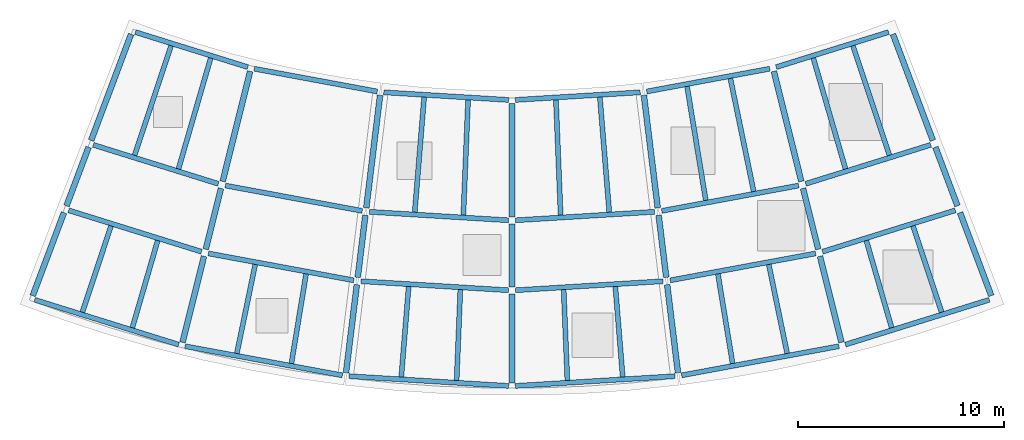
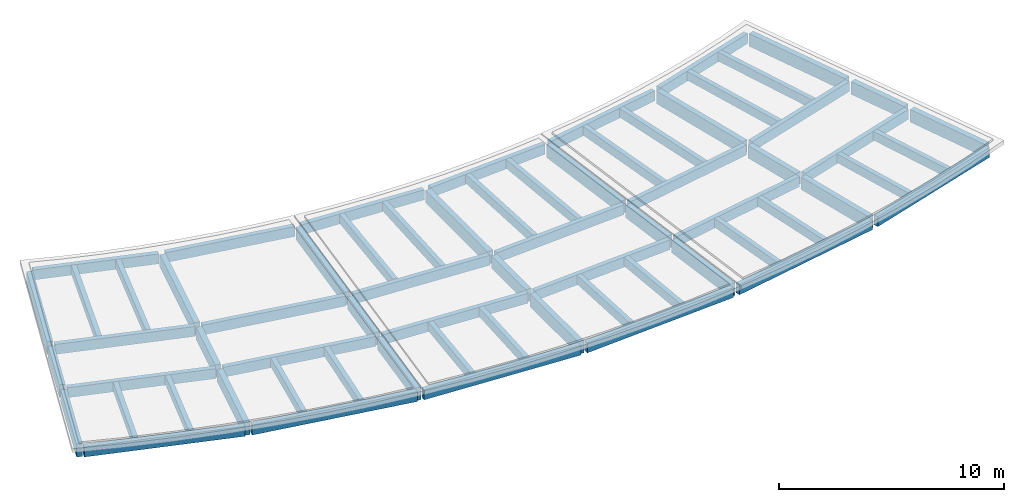
# One storey, part 1 of 3: 67 beams.
"""IFC4 building model written with IfcOpenShell, lengths in metres."""

from ifc_helpers import new_model, si_unit, direction, frame, origin, origin_2d, place, context, subcontext, project, spatial, rectangle, extrude, material, material_profile, profile_set, type_object, element, save


model = new_model("IFC4")

# Units and contexts
model_context = context("Model", 3, precision=1e-05, world=origin(), true_north=direction((0.0, 1.0)))
body_context = subcontext(model_context, "Body", "Model", "MODEL_VIEW")
ifc_project = project(units=[si_unit("LENGTHUNIT", "METRE"), si_unit("AREAUNIT", "SQUARE_METRE"), si_unit("VOLUMEUNIT", "CUBIC_METRE"), si_unit("PLANEANGLEUNIT", "RADIAN"), si_unit("MASSUNIT", "GRAM", prefix="KILO")], contexts=[model_context])

# Site, building, storey
site_placement = place(None, origin())
site = spatial("IfcSite", under=ifc_project, at=site_placement, CompositionType="ELEMENT")
building_placement = place(site_placement, origin())
building = spatial("IfcBuilding", under=site, at=building_placement, Name="Caldaven Crescent School", CompositionType="ELEMENT")
storey_placement = place(building_placement, frame((0.0, 0.0, 23.1201171875)))
storey = spatial("IfcBuildingStorey", under=building, at=storey_placement, Name="Roof", CompositionType="ELEMENT", Elevation=23.1201171875)

# Beams
ifc_material = material(Name="Glulam MLE24h (GL28h)", Category="wood")
ifc_material_profile_1 = material_profile(ifc_material, rectangle(XDim=0.239990234375, YDim=0.5400390625, at=origin_2d()), Name="MLE 240x540")
ifc_profile_set_1 = profile_set([ifc_material_profile_1], Name="Glulam MLE24h (GL28h)")
beam_type_1 = type_object("IfcBeamType", Name="BM-GL54", PredefinedType="BEAM", material=ifc_profile_set_1)
beam_1_placement = place(storey_placement, frame((67.6494140625, 41.377685546875, -0.480224609375), z_axis=(0.954747711713, -0.297416890878, 0.0), x_axis=(0.297416890878, 0.954747711713, 0.0)))
element("IfcBeam", 1, at=beam_1_placement, inside=storey, type_object=beam_type_1, Name="BMT-V5-Roof-1789", PredefinedType="BEAM", context=body_context, shape_type="SweptSolid", body=[
    extrude(rectangle(XDim=0.239990234375, YDim=0.5400390625, at=origin_2d()), origin(), (0.0, 0.0, 1.0), 6.367431640625),
])
beam_2_placement = place(storey_placement, frame((66.452880859375, 38.195068359375, -0.480224609375), z_axis=(0.954750161187, -0.297409027625, 0.0), x_axis=(0.297409027625, 0.954750161187, 0.0)))
element("IfcBeam", 2, at=beam_2_placement, inside=storey, type_object=beam_type_1, Name="BMT-V5-Roof-1790", PredefinedType="BEAM", context=body_context, shape_type="SweptSolid", body=[
    extrude(rectangle(XDim=0.239990234375, YDim=0.5400390625, at=origin_2d()), origin(), (0.0, 0.0, 1.0), 6.75927734375),
])
beam_3_placement = place(storey_placement, frame((74.068115234375, 39.39990234375, -0.480224609375), z_axis=(0.983254724559, -0.182236512894, 0.0), x_axis=(0.182236512894, 0.983254724559, 0.0)))
element("IfcBeam", 3, at=beam_3_placement, inside=storey, type_object=beam_type_1, Name="BMT-V5-Roof-1797", PredefinedType="BEAM", context=body_context, shape_type="SweptSolid", body=[
    extrude(rectangle(XDim=0.239990234375, YDim=0.5400390625, at=origin_2d()), origin(), (0.0, 0.0, 1.0), 6.76806640625),
])
beam_4_placement = place(storey_placement, frame((73.24560546875, 36.100830078125, -0.480224609375), z_axis=(0.983254046245, -0.182240172692, 0.0), x_axis=(0.182240172692, 0.983254046245, 0.0)))
element("IfcBeam", 4, at=beam_4_placement, inside=storey, type_object=beam_type_1, Name="BMT-V5-Roof-1798", PredefinedType="BEAM", context=body_context, shape_type="SweptSolid", body=[
    extrude(rectangle(XDim=0.239990234375, YDim=0.5400390625, at=origin_2d()), origin(), (0.0, 0.0, 1.0), 7.183349609375),
])
beam_5_placement = place(storey_placement, frame((81.069580078125, 38.123779296875, -0.480224609375), z_axis=(0.998135879701, -0.061030858212, 0.0), x_axis=(0.061030858212, 0.998135879701, 0.0)))
element("IfcBeam", 5, at=beam_5_placement, inside=storey, type_object=beam_type_1, Name="BMT-V5-Roof-1803", PredefinedType="BEAM", context=body_context, shape_type="SweptSolid", body=[
    extrude(rectangle(XDim=0.239990234375, YDim=0.5400390625, at=origin_2d()), origin(), (0.0, 0.0, 1.0), 6.7685546875),
])
beam_6_placement = place(storey_placement, frame((80.6552734375, 34.749267578125, -0.480224609375), z_axis=(0.998135388571, -0.061038889914, 0.0), x_axis=(0.061038889914, 0.998135388571, 0.0)))
element("IfcBeam", 6, at=beam_6_placement, inside=storey, type_object=beam_type_1, Name="BMT-V5-Roof-1804", PredefinedType="BEAM", context=body_context, shape_type="SweptSolid", body=[
    extrude(rectangle(XDim=0.239990234375, YDim=0.5400390625, at=origin_2d()), origin(), (0.0, 0.0, 1.0), 7.18359375),
])
beam_7_placement = place(storey_placement, frame((88.174560546875, 37.710693359375, -0.480224609375), z_axis=(0.998135879701, 0.061030858212, 0.0), x_axis=(-0.061030858212, 0.998135879701, 0.0)))
element("IfcBeam", 7, at=beam_7_placement, inside=storey, type_object=beam_type_1, Name="BMT-V5-Roof-1811", PredefinedType="BEAM", context=body_context, shape_type="SweptSolid", body=[
    extrude(rectangle(XDim=0.239990234375, YDim=0.5400390625, at=origin_2d()), origin(), (0.0, 0.0, 1.0), 6.7685546875),
])
beam_8_placement = place(storey_placement, frame((88.174560546875, 34.310791015625, -0.480224609375), z_axis=(0.998135388571, 0.061038889914, 0.0), x_axis=(-0.061038889914, 0.998135388571, 0.0)))
element("IfcBeam", 8, at=beam_8_placement, inside=storey, type_object=beam_type_1, Name="BMT-V5-Roof-1812", PredefinedType="BEAM", context=body_context, shape_type="SweptSolid", body=[
    extrude(rectangle(XDim=0.239990234375, YDim=0.5400390625, at=origin_2d()), origin(), (0.0, 0.0, 1.0), 7.18359375),
])
beam_9_placement = place(storey_placement, frame((95.277099609375, 38.16650390625, -0.480224609375), z_axis=(0.983254724559, 0.182236512894, 0.0), x_axis=(-0.182236512894, 0.983254724559, 0.0)))
element("IfcBeam", 9, at=beam_9_placement, inside=storey, type_object=beam_type_1, Name="BMT-V5-Roof-1819", PredefinedType="BEAM", context=body_context, shape_type="SweptSolid", body=[
    extrude(rectangle(XDim=0.239990234375, YDim=0.5400390625, at=origin_2d()), origin(), (0.0, 0.0, 1.0), 6.76806640625),
])
beam_10_placement = place(storey_placement, frame((95.69140625, 34.791748046875, -0.480224609375), z_axis=(0.983254046245, 0.182240172692, 0.0), x_axis=(-0.182240172692, 0.983254046245, 0.0)))
element("IfcBeam", 10, at=beam_10_placement, inside=storey, type_object=beam_type_1, Name="BMT-V5-Roof-1820", PredefinedType="BEAM", context=body_context, shape_type="SweptSolid", body=[
    extrude(rectangle(XDim=0.239990234375, YDim=0.5400390625, at=origin_2d()), origin(), (0.0, 0.0, 1.0), 7.183349609375),
])
beam_11_placement = place(storey_placement, frame((102.271240234375, 39.48388671875, -0.480224609375), z_axis=(0.954747711713, 0.297416890878, 0.0), x_axis=(-0.297416890878, 0.954747711713, 0.0)))
element("IfcBeam", 11, at=beam_11_placement, inside=storey, type_object=beam_type_1, Name="BMT-V5-Roof-1827", PredefinedType="BEAM", context=body_context, shape_type="SweptSolid", body=[
    extrude(rectangle(XDim=0.239990234375, YDim=0.5400390625, at=origin_2d()), origin(), (0.0, 0.0, 1.0), 6.367431640625),
])
beam_12_placement = place(storey_placement, frame((103.09375, 36.184814453125, -0.480224609375), z_axis=(0.954750161187, 0.297409027625, 0.0), x_axis=(-0.297409027625, 0.954750161187, 0.0)))
element("IfcBeam", 12, at=beam_12_placement, inside=storey, type_object=beam_type_1, Name="BMT-V5-Roof-1828", PredefinedType="BEAM", context=body_context, shape_type="SweptSolid", body=[
    extrude(rectangle(XDim=0.239990234375, YDim=0.5400390625, at=origin_2d()), origin(), (0.0, 0.0, 1.0), 6.75927734375),
])
ifc_material_profile_2 = material_profile(ifc_material, rectangle(XDim=0.280029296875, YDim=0.68994140625, at=origin_2d()), Name="MLE 280x690")
ifc_profile_set_2 = profile_set([ifc_material_profile_2], Name="Glulam MLE24h (GL28h)")
beam_type_2 = type_object("IfcBeamType", Name="BM-GL69", PredefinedType="BEAM", material=ifc_profile_set_2)
beam_13_placement = place(storey_placement, frame((69.48486328125, 46.755615234375, -0.55517578125), z_axis=(-0.351938342826, -0.936023184995, 0.0), x_axis=(0.936023184995, -0.351938342826, 0.0)))
element("IfcBeam", 13, at=beam_13_placement, inside=storey, type_object=beam_type_2, Name="BMR-V5-Roof-1767", PredefinedType="BEAM", context=body_context, shape_type="SweptSolid", body=[
    extrude(rectangle(XDim=0.280029296875, YDim=0.68994140625, at=origin_2d()), origin(), (0.0, 0.0, 1.0), 5.514892578125),
])
beam_14_placement = place(storey_placement, frame((67.4208984375, 41.265869140625, -0.55517578125), z_axis=(-0.351974225459, -0.936009692585, 0.0), x_axis=(0.936009692585, -0.351974225459, 0.0)))
element("IfcBeam", 14, at=beam_14_placement, inside=storey, type_object=beam_type_2, Name="BMR-V5-Roof-1768", PredefinedType="BEAM", context=body_context, shape_type="SweptSolid", body=[
    extrude(rectangle(XDim=0.280029296875, YDim=0.68994140625, at=origin_2d()), origin(), (0.0, 0.0, 1.0), 3.0498046875),
])
beam_15_placement = place(storey_placement, frame((66.22412109375, 38.08349609375, -0.55517578125), z_axis=(-0.351916961601, -0.936031223912, 0.0), x_axis=(0.936031223912, -0.351916961601, 0.0)))
element("IfcBeam", 15, at=beam_15_placement, inside=storey, type_object=beam_type_2, Name="BMR-V5-Roof-1769", PredefinedType="BEAM", context=body_context, shape_type="SweptSolid", body=[
    extrude(rectangle(XDim=0.280029296875, YDim=0.68994140625, at=origin_2d()), origin(), (0.0, 0.0, 1.0), 4.315185546875),
])
beam_16_placement = place(storey_placement, frame((75.2724609375, 44.95263671875, -0.55517578125), z_axis=(-0.241931432995, -0.970293348286, 0.0), x_axis=(0.970293348286, -0.241931432995, 0.0)))
element("IfcBeam", 16, at=beam_16_placement, inside=storey, type_object=beam_type_2, Name="BMR-V5-Roof-1770", PredefinedType="BEAM", context=body_context, shape_type="SweptSolid", body=[
    extrude(rectangle(XDim=0.280029296875, YDim=0.68994140625, at=origin_2d()), origin(), (0.0, 0.0, 1.0), 5.514892578125),
])
beam_17_placement = place(storey_placement, frame((73.853515625, 39.261962890625, -0.55517578125), z_axis=(-0.241895214255, -0.970302378293, 0.0), x_axis=(0.970302378293, -0.241895214255, 0.0)))
element("IfcBeam", 17, at=beam_17_placement, inside=storey, type_object=beam_type_2, Name="BMR-V5-Roof-1771", PredefinedType="BEAM", context=body_context, shape_type="SweptSolid", body=[
    extrude(rectangle(XDim=0.280029296875, YDim=0.68994140625, at=origin_2d()), origin(), (0.0, 0.0, 1.0), 3.050048828125),
])
beam_18_placement = place(storey_placement, frame((73.031005859375, 35.962890625, -0.55517578125), z_axis=(-0.241883226039, -0.970305366862, 0.0), x_axis=(0.970305366862, -0.241883226039, 0.0)))
element("IfcBeam", 18, at=beam_18_placement, inside=storey, type_object=beam_type_2, Name="BMR-V5-Roof-1772", PredefinedType="BEAM", context=body_context, shape_type="SweptSolid", body=[
    extrude(rectangle(XDim=0.280029296875, YDim=0.68994140625, at=origin_2d()), origin(), (0.0, 0.0, 1.0), 4.31494140625),
])
beam_19_placement = place(storey_placement, frame((81.58837890625, 43.7822265625, -0.55517578125), z_axis=(-0.121871408826, -0.992545898037, 0.0), x_axis=(0.992545898037, -0.121871408826, 0.0)))
element("IfcBeam", 19, at=beam_19_placement, inside=storey, type_object=beam_type_2, Name="BMR-V5-Roof-1773", PredefinedType="BEAM", context=body_context, shape_type="SweptSolid", body=[
    extrude(rectangle(XDim=0.280029296875, YDim=0.68994140625, at=origin_2d()), origin(), (0.0, 0.0, 1.0), 5.514892578125),
])
beam_20_placement = place(storey_placement, frame((80.873779296875, 37.9609375, -0.55517578125), z_axis=(-0.121906519032, -0.992541586342, 0.0), x_axis=(0.992541586342, -0.121906519032, 0.0)))
element("IfcBeam", 20, at=beam_20_placement, inside=storey, type_object=beam_type_2, Name="BMR-V5-Roof-1774", PredefinedType="BEAM", context=body_context, shape_type="SweptSolid", body=[
    extrude(rectangle(XDim=0.280029296875, YDim=0.68994140625, at=origin_2d()), origin(), (0.0, 0.0, 1.0), 3.050048828125),
])
beam_21_placement = place(storey_placement, frame((80.459228515625, 34.586181640625, -0.55517578125), z_axis=(-0.121875655073, -0.992545376646, 0.0), x_axis=(0.992545376646, -0.121875655073, 0.0)))
element("IfcBeam", 21, at=beam_21_placement, inside=storey, type_object=beam_type_2, Name="BMR-V5-Roof-1775", PredefinedType="BEAM", context=body_context, shape_type="SweptSolid", body=[
    extrude(rectangle(XDim=0.280029296875, YDim=0.68994140625, at=origin_2d()), origin(), (0.0, 0.0, 1.0), 4.31494140625),
])
beam_22_placement = place(storey_placement, frame((88.0, 43.389892578125, -0.55517578125), z_axis=(0.0, -1.0, 0.0), x_axis=(1.0, 0.0, 0.0)))
element("IfcBeam", 22, at=beam_22_placement, inside=storey, type_object=beam_type_2, Name="BMR-V5-Roof-1776", PredefinedType="BEAM", context=body_context, shape_type="SweptSolid", body=[
    extrude(rectangle(XDim=0.280029296875, YDim=0.68994140625, at=origin_2d()), origin(), (0.0, 0.0, 1.0), 5.514892578125),
])
beam_23_placement = place(storey_placement, frame((88.0, 37.52490234375, -0.55517578125), z_axis=(0.0, -1.0, 0.0), x_axis=(1.0, 0.0, 0.0)))
element("IfcBeam", 23, at=beam_23_placement, inside=storey, type_object=beam_type_2, Name="BMR-V5-Roof-1777", PredefinedType="BEAM", context=body_context, shape_type="SweptSolid", body=[
    extrude(rectangle(XDim=0.280029296875, YDim=0.68994140625, at=origin_2d()), origin(), (0.0, 0.0, 1.0), 3.0498046875),
])
beam_24_placement = place(storey_placement, frame((88.0, 34.125, -0.55517578125), z_axis=(0.0, -1.0, 0.0), x_axis=(1.0, 0.0, 0.0)))
element("IfcBeam", 24, at=beam_24_placement, inside=storey, type_object=beam_type_2, Name="BMR-V5-Roof-1778", PredefinedType="BEAM", context=body_context, shape_type="SweptSolid", body=[
    extrude(rectangle(XDim=0.280029296875, YDim=0.68994140625, at=origin_2d()), origin(), (0.0, 0.0, 1.0), 4.31494140625),
])
beam_25_placement = place(storey_placement, frame((94.41162109375, 43.7822265625, -0.55517578125), z_axis=(0.121871408826, -0.992545898037, 0.0), x_axis=(0.992545898037, 0.121871408826, 0.0)))
element("IfcBeam", 25, at=beam_25_placement, inside=storey, type_object=beam_type_2, Name="BMR-V5-Roof-1779", PredefinedType="BEAM", context=body_context, shape_type="SweptSolid", body=[
    extrude(rectangle(XDim=0.280029296875, YDim=0.68994140625, at=origin_2d()), origin(), (0.0, 0.0, 1.0), 5.514892578125),
])
beam_26_placement = place(storey_placement, frame((95.126220703125, 37.9609375, -0.55517578125), z_axis=(0.121906519032, -0.992541586342, 0.0), x_axis=(0.992541586342, 0.121906519032, 0.0)))
element("IfcBeam", 26, at=beam_26_placement, inside=storey, type_object=beam_type_2, Name="BMR-V5-Roof-1780", PredefinedType="BEAM", context=body_context, shape_type="SweptSolid", body=[
    extrude(rectangle(XDim=0.280029296875, YDim=0.68994140625, at=origin_2d()), origin(), (0.0, 0.0, 1.0), 3.050048828125),
])
beam_27_placement = place(storey_placement, frame((95.540771484375, 34.586181640625, -0.55517578125), z_axis=(0.121875655073, -0.992545376646, 0.0), x_axis=(0.992545376646, 0.121875655073, 0.0)))
element("IfcBeam", 27, at=beam_27_placement, inside=storey, type_object=beam_type_2, Name="BMR-V5-Roof-1781", PredefinedType="BEAM", context=body_context, shape_type="SweptSolid", body=[
    extrude(rectangle(XDim=0.280029296875, YDim=0.68994140625, at=origin_2d()), origin(), (0.0, 0.0, 1.0), 4.31494140625),
])
beam_28_placement = place(storey_placement, frame((100.7275390625, 44.95263671875, -0.55517578125), z_axis=(0.241931432995, -0.970293348286, 0.0), x_axis=(0.970293348286, 0.241931432995, 0.0)))
element("IfcBeam", 28, at=beam_28_placement, inside=storey, type_object=beam_type_2, Name="BMR-V5-Roof-1782", PredefinedType="BEAM", context=body_context, shape_type="SweptSolid", body=[
    extrude(rectangle(XDim=0.280029296875, YDim=0.68994140625, at=origin_2d()), origin(), (0.0, 0.0, 1.0), 5.514892578125),
])
beam_29_placement = place(storey_placement, frame((102.146484375, 39.261962890625, -0.55517578125), z_axis=(0.241895214255, -0.970302378293, 0.0), x_axis=(0.970302378293, 0.241895214255, 0.0)))
element("IfcBeam", 29, at=beam_29_placement, inside=storey, type_object=beam_type_2, Name="BMR-V5-Roof-1783", PredefinedType="BEAM", context=body_context, shape_type="SweptSolid", body=[
    extrude(rectangle(XDim=0.280029296875, YDim=0.68994140625, at=origin_2d()), origin(), (0.0, 0.0, 1.0), 3.050048828125),
])
beam_30_placement = place(storey_placement, frame((102.968994140625, 35.962890625, -0.55517578125), z_axis=(0.241883226039, -0.970305366862, 0.0), x_axis=(0.970305366862, 0.241883226039, 0.0)))
element("IfcBeam", 30, at=beam_30_placement, inside=storey, type_object=beam_type_2, Name="BMR-V5-Roof-1784", PredefinedType="BEAM", context=body_context, shape_type="SweptSolid", body=[
    extrude(rectangle(XDim=0.280029296875, YDim=0.68994140625, at=origin_2d()), origin(), (0.0, 0.0, 1.0), 4.31494140625),
])
beam_31_placement = place(storey_placement, frame((106.51513671875, 46.755615234375, -0.55517578125), z_axis=(0.351938342826, -0.936023184995, 0.0), x_axis=(0.936023184995, 0.351938342826, 0.0)))
element("IfcBeam", 31, at=beam_31_placement, inside=storey, type_object=beam_type_2, Name="BMR-V5-Roof-1785", PredefinedType="BEAM", context=body_context, shape_type="SweptSolid", body=[
    extrude(rectangle(XDim=0.280029296875, YDim=0.68994140625, at=origin_2d()), origin(), (0.0, 0.0, 1.0), 5.514892578125),
])
beam_32_placement = place(storey_placement, frame((108.5791015625, 41.265869140625, -0.55517578125), z_axis=(0.351974225459, -0.936009692585, 0.0), x_axis=(0.936009692585, 0.351974225459, 0.0)))
element("IfcBeam", 32, at=beam_32_placement, inside=storey, type_object=beam_type_2, Name="BMR-V5-Roof-1786", PredefinedType="BEAM", context=body_context, shape_type="SweptSolid", body=[
    extrude(rectangle(XDim=0.280029296875, YDim=0.68994140625, at=origin_2d()), origin(), (0.0, 0.0, 1.0), 3.0498046875),
])
beam_33_placement = place(storey_placement, frame((109.77587890625, 38.08349609375, -0.55517578125), z_axis=(0.351916961601, -0.936031223912, 0.0), x_axis=(0.936031223912, 0.351916961601, 0.0)))
element("IfcBeam", 33, at=beam_33_placement, inside=storey, type_object=beam_type_2, Name="BMR-V5-Roof-1787", PredefinedType="BEAM", context=body_context, shape_type="SweptSolid", body=[
    extrude(rectangle(XDim=0.280029296875, YDim=0.68994140625, at=origin_2d()), origin(), (0.0, 0.0, 1.0), 4.315185546875),
])
ifc_material_profile_3 = material_profile(ifc_material, rectangle(XDim=0.239990234375, YDim=0.47998046875, at=origin_2d()), Name="MLE 240x480")
ifc_profile_set_3 = profile_set([ifc_material_profile_3], Name="Glulam MLE24h (GL28h)")
beam_type_3 = type_object("IfcBeamType", Name="JS-GL48", PredefinedType="JOIST", material=ifc_profile_set_3)
beam_34_placement = place(storey_placement, frame((71.42822265625, 46.197265625, -0.4501953125), z_axis=(-0.315731740735, -0.948848495753, 0.0), x_axis=(0.948848495753, -0.315731740735, 0.0)))
element("IfcBeam", 34, at=beam_34_placement, inside=storey, type_object=beam_type_3, Name="JSR-V5-Roof-1792", PredefinedType="JOIST", context=body_context, shape_type="SweptSolid", body=[
    extrude(rectangle(XDim=0.239990234375, YDim=0.47998046875, at=origin_2d()), origin(), (0.0, 0.0, 1.0), 5.611572265625),
])
beam_35_placement = place(storey_placement, frame((68.511962890625, 37.433349609375, -0.4501953125), z_axis=(-0.315713240256, -0.948854651634, 0.0), x_axis=(0.948854651634, -0.315713240256, 0.0)))
element("IfcBeam", 35, at=beam_35_placement, inside=storey, type_object=beam_type_3, Name="JSR-V5-Roof-1793", PredefinedType="JOIST", context=body_context, shape_type="SweptSolid", body=[
    extrude(rectangle(XDim=0.239990234375, YDim=0.47998046875, at=origin_2d()), origin(), (0.0, 0.0, 1.0), 4.413330078125),
])
beam_36_placement = place(storey_placement, frame((73.355712890625, 45.5966796875, -0.4501953125), z_axis=(-0.278982349026, -0.960296229781, 0.0), x_axis=(0.960296229781, -0.278982349026, 0.0)))
element("IfcBeam", 36, at=beam_36_placement, inside=storey, type_object=beam_type_3, Name="JSR-V5-Roof-1794", PredefinedType="JOIST", context=body_context, shape_type="SweptSolid", body=[
    extrude(rectangle(XDim=0.239990234375, YDim=0.47998046875, at=origin_2d()), origin(), (0.0, 0.0, 1.0), 5.611328125),
])
beam_37_placement = place(storey_placement, frame((70.77880859375, 36.72705078125, -0.4501953125), z_axis=(-0.278992882483, -0.96029316957, 0.0), x_axis=(0.96029316957, -0.278992882483, 0.0)))
element("IfcBeam", 37, at=beam_37_placement, inside=storey, type_object=beam_type_3, Name="JSR-V5-Roof-1795", PredefinedType="JOIST", context=body_context, shape_type="SweptSolid", body=[
    extrude(rectangle(XDim=0.239990234375, YDim=0.47998046875, at=origin_2d()), origin(), (0.0, 0.0, 1.0), 4.4130859375),
])
for number, where, z_axis, x_axis, name in (
    (38, (75.519287109375, 35.5625, -0.4501953125), (-0.202241478585, -0.979335685217, 0.0), (0.979335685217, -0.202241478585, 0.0), "JSR-V5-Roof-1800"),
    (39, (77.992919921875, 35.10400390625, -0.4501953125), (-0.162182244648, -0.986760821841, 0.0), (0.986760821841, -0.162182244648, 0.0), "JSR-V5-Roof-1801"),
):
    element("IfcBeam", number, at=place(storey_placement, frame(where, z_axis=z_axis, x_axis=x_axis)), inside=storey, type_object=beam_type_3, Name=name, PredefinedType="JOIST", context=body_context, shape_type="SweptSolid", body=[
        extrude(rectangle(XDim=0.239990234375, YDim=0.47998046875, at=origin_2d()), origin(), (0.0, 0.0, 1.0), 4.412109375),
    ])
beam_38_placement = place(storey_placement, frame((83.729248046875, 43.696044921875, -0.4501953125), z_axis=(-0.081374360202, -0.996683607521, 0.0), x_axis=(0.996683607521, -0.081374360202, 0.0)))
element("IfcBeam", 40, at=beam_38_placement, inside=storey, type_object=beam_type_3, Name="JSR-V5-Roof-1806", PredefinedType="JOIST", context=body_context, shape_type="SweptSolid", body=[
    extrude(rectangle(XDim=0.239990234375, YDim=0.47998046875, at=origin_2d()), origin(), (0.0, 0.0, 1.0), 5.6103515625),
])
beam_39_placement = place(storey_placement, frame((82.977783203125, 34.491943359375, -0.4501953125), z_axis=(-0.081392296247, -0.996682142968, 0.0), x_axis=(0.996682142968, -0.081392296247, 0.0)))
element("IfcBeam", 41, at=beam_39_placement, inside=storey, type_object=beam_type_3, Name="JSR-V5-Roof-1807", PredefinedType="JOIST", context=body_context, shape_type="SweptSolid", body=[
    extrude(rectangle(XDim=0.239990234375, YDim=0.47998046875, at=origin_2d()), origin(), (0.0, 0.0, 1.0), 4.412353515625),
])
beam_40_placement = place(storey_placement, frame((85.86474609375, 43.5654296875, -0.4501953125), z_axis=(-0.040730946432, -0.999170150676, 0.0), x_axis=(0.999170150676, -0.040730946432, 0.0)))
element("IfcBeam", 42, at=beam_40_placement, inside=storey, type_object=beam_type_3, Name="JSR-V5-Roof-1808", PredefinedType="JOIST", context=body_context, shape_type="SweptSolid", body=[
    extrude(rectangle(XDim=0.239990234375, YDim=0.47998046875, at=origin_2d()), origin(), (0.0, 0.0, 1.0), 5.6103515625),
])
beam_41_placement = place(storey_placement, frame((85.48876953125, 34.33837890625, -0.4501953125), z_axis=(-0.040668508698, -0.999172693982, 0.0), x_axis=(0.999172693982, -0.040668508698, 0.0)))
element("IfcBeam", 43, at=beam_41_placement, inside=storey, type_object=beam_type_3, Name="JSR-V5-Roof-1809", PredefinedType="JOIST", context=body_context, shape_type="SweptSolid", body=[
    extrude(rectangle(XDim=0.239990234375, YDim=0.47998046875, at=origin_2d()), origin(), (0.0, 0.0, 1.0), 4.412353515625),
])
beam_42_placement = place(storey_placement, frame((90.13525390625, 43.5654296875, -0.4501953125), z_axis=(0.040730946432, -0.999170150676, 0.0), x_axis=(0.999170150676, 0.040730946432, 0.0)))
element("IfcBeam", 44, at=beam_42_placement, inside=storey, type_object=beam_type_3, Name="JSR-V5-Roof-1814", PredefinedType="JOIST", context=body_context, shape_type="SweptSolid", body=[
    extrude(rectangle(XDim=0.239990234375, YDim=0.47998046875, at=origin_2d()), origin(), (0.0, 0.0, 1.0), 5.6103515625),
])
beam_43_placement = place(storey_placement, frame((90.51123046875, 34.33837890625, -0.4501953125), z_axis=(0.040668508698, -0.999172693982, 0.0), x_axis=(0.999172693982, 0.040668508698, 0.0)))
element("IfcBeam", 45, at=beam_43_placement, inside=storey, type_object=beam_type_3, Name="JSR-V5-Roof-1815", PredefinedType="JOIST", context=body_context, shape_type="SweptSolid", body=[
    extrude(rectangle(XDim=0.239990234375, YDim=0.47998046875, at=origin_2d()), origin(), (0.0, 0.0, 1.0), 4.412353515625),
])
beam_44_placement = place(storey_placement, frame((92.270751953125, 43.696044921875, -0.4501953125), z_axis=(0.081374360202, -0.996683607521, 0.0), x_axis=(0.996683607521, 0.081374360202, 0.0)))
element("IfcBeam", 46, at=beam_44_placement, inside=storey, type_object=beam_type_3, Name="JSR-V5-Roof-1816", PredefinedType="JOIST", context=body_context, shape_type="SweptSolid", body=[
    extrude(rectangle(XDim=0.239990234375, YDim=0.47998046875, at=origin_2d()), origin(), (0.0, 0.0, 1.0), 5.6103515625),
])
beam_45_placement = place(storey_placement, frame((93.022216796875, 34.491943359375, -0.4501953125), z_axis=(0.081392296247, -0.996682142968, 0.0), x_axis=(0.996682142968, 0.081392296247, 0.0)))
element("IfcBeam", 47, at=beam_45_placement, inside=storey, type_object=beam_type_3, Name="JSR-V5-Roof-1817", PredefinedType="JOIST", context=body_context, shape_type="SweptSolid", body=[
    extrude(rectangle(XDim=0.239990234375, YDim=0.47998046875, at=origin_2d()), origin(), (0.0, 0.0, 1.0), 4.412353515625),
])
beam_46_placement = place(storey_placement, frame((96.509521484375, 44.216552734375, -0.4501953125), z_axis=(0.162182803006, -0.98676073007, 0.0), x_axis=(0.98676073007, 0.162182803006, 0.0)))
element("IfcBeam", 48, at=beam_46_placement, inside=storey, type_object=beam_type_3, Name="JSR-V5-Roof-1822", PredefinedType="JOIST", context=body_context, shape_type="SweptSolid", body=[
    extrude(rectangle(XDim=0.239990234375, YDim=0.47998046875, at=origin_2d()), origin(), (0.0, 0.0, 1.0), 5.6103515625),
])
beam_47_placement = place(storey_placement, frame((98.007080078125, 35.10400390625, -0.4501953125), z_axis=(0.162182244648, -0.986760821841, 0.0), x_axis=(0.986760821841, 0.162182244648, 0.0)))
element("IfcBeam", 49, at=beam_47_placement, inside=storey, type_object=beam_type_3, Name="JSR-V5-Roof-1823", PredefinedType="JOIST", context=body_context, shape_type="SweptSolid", body=[
    extrude(rectangle(XDim=0.239990234375, YDim=0.47998046875, at=origin_2d()), origin(), (0.0, 0.0, 1.0), 4.412109375),
])
beam_48_placement = place(storey_placement, frame((98.613037109375, 44.6064453125, -0.4501953125), z_axis=(0.202263118958, -0.979331216039, 0.0), x_axis=(0.979331216039, 0.202263118958, 0.0)))
element("IfcBeam", 50, at=beam_48_placement, inside=storey, type_object=beam_type_3, Name="JSR-V5-Roof-1824", PredefinedType="JOIST", context=body_context, shape_type="SweptSolid", body=[
    extrude(rectangle(XDim=0.239990234375, YDim=0.47998046875, at=origin_2d()), origin(), (0.0, 0.0, 1.0), 5.6103515625),
])
beam_49_placement = place(storey_placement, frame((100.480712890625, 35.5625, -0.4501953125), z_axis=(0.202241478585, -0.979335685217, 0.0), x_axis=(0.979335685217, 0.202241478585, 0.0)))
element("IfcBeam", 51, at=beam_49_placement, inside=storey, type_object=beam_type_3, Name="JSR-V5-Roof-1825", PredefinedType="JOIST", context=body_context, shape_type="SweptSolid", body=[
    extrude(rectangle(XDim=0.239990234375, YDim=0.47998046875, at=origin_2d()), origin(), (0.0, 0.0, 1.0), 4.412109375),
])
beam_50_placement = place(storey_placement, frame((102.644287109375, 45.5966796875, -0.4501953125), z_axis=(0.278982349026, -0.960296229781, 0.0), x_axis=(0.960296229781, 0.278982349026, 0.0)))
element("IfcBeam", 52, at=beam_50_placement, inside=storey, type_object=beam_type_3, Name="JSR-V5-Roof-1830", PredefinedType="JOIST", context=body_context, shape_type="SweptSolid", body=[
    extrude(rectangle(XDim=0.239990234375, YDim=0.47998046875, at=origin_2d()), origin(), (0.0, 0.0, 1.0), 5.611328125),
])
beam_51_placement = place(storey_placement, frame((105.22119140625, 36.72705078125, -0.4501953125), z_axis=(0.278992882483, -0.96029316957, 0.0), x_axis=(0.96029316957, 0.278992882483, 0.0)))
element("IfcBeam", 53, at=beam_51_placement, inside=storey, type_object=beam_type_3, Name="JSR-V5-Roof-1831", PredefinedType="JOIST", context=body_context, shape_type="SweptSolid", body=[
    extrude(rectangle(XDim=0.239990234375, YDim=0.47998046875, at=origin_2d()), origin(), (0.0, 0.0, 1.0), 4.4130859375),
])
beam_52_placement = place(storey_placement, frame((104.57177734375, 46.197265625, -0.4501953125), z_axis=(0.315731740735, -0.948848495753, 0.0), x_axis=(0.948848495753, 0.315731740735, 0.0)))
element("IfcBeam", 54, at=beam_52_placement, inside=storey, type_object=beam_type_3, Name="JSR-V5-Roof-1832", PredefinedType="JOIST", context=body_context, shape_type="SweptSolid", body=[
    extrude(rectangle(XDim=0.239990234375, YDim=0.47998046875, at=origin_2d()), origin(), (0.0, 0.0, 1.0), 5.611572265625),
])
beam_53_placement = place(storey_placement, frame((107.488037109375, 37.433349609375, -0.4501953125), z_axis=(0.315713240256, -0.948854651634, 0.0), x_axis=(0.948854651634, 0.315713240256, 0.0)))
element("IfcBeam", 55, at=beam_53_placement, inside=storey, type_object=beam_type_3, Name="JSR-V5-Roof-1833", PredefinedType="JOIST", context=body_context, shape_type="SweptSolid", body=[
    extrude(rectangle(XDim=0.239990234375, YDim=0.47998046875, at=origin_2d()), origin(), (0.0, 0.0, 1.0), 4.413330078125),
])
ifc_material_profile_4 = material_profile(ifc_material, rectangle(XDim=0.239990234375, YDim=0.5400390625, at=origin_2d()), Name="MLE 240x540")
ifc_profile_set_4 = profile_set([ifc_material_profile_4], Name="Glulam MLE24h (GL28h)")
beam_type_4 = type_object("IfcBeamType", Name="SP-GL54", PredefinedType="SPANDREL", material=ifc_profile_set_4)
beam_54_placement = place(storey_placement, frame((69.69384765625, 46.85791015625, -0.480224609375), z_axis=(0.954742972951, -0.297432102506, 0.0), x_axis=(0.297432102506, 0.954742972951, 0.0)))
element("IfcBeam", 56, at=beam_54_placement, inside=storey, type_object=beam_type_4, Name="BMT-V5-Roof-1788", PredefinedType="SPANDREL", context=body_context, shape_type="SweptSolid", body=[
    extrude(rectangle(XDim=0.239990234375, YDim=0.5400390625, at=origin_2d()), origin(), (0.0, 0.0, 1.0), 5.7236328125),
])
beam_55_placement = place(storey_placement, frame((64.802001953125, 33.84716796875, -0.480224609375), z_axis=(0.954744100243, -0.297428483927, 0.0), x_axis=(0.297428483927, 0.954744100243, 0.0)))
element("IfcBeam", 57, at=beam_55_placement, inside=storey, type_object=beam_type_4, Name="BMT-V5-Roof-1791", PredefinedType="SPANDREL", context=body_context, shape_type="SweptSolid", body=[
    extrude(rectangle(XDim=0.239990234375, YDim=0.5400390625, at=origin_2d()), origin(), (0.0, 0.0, 1.0), 7.3251953125),
])
beam_56_placement = place(storey_placement, frame((75.468505859375, 45.078857421875, -0.480224609375), z_axis=(0.983257514796, -0.182221457564, 0.0), x_axis=(0.182221457564, 0.983257514796, 0.0)))
element("IfcBeam", 58, at=beam_56_placement, inside=storey, type_object=beam_type_4, Name="BMT-V5-Roof-1796", PredefinedType="SPANDREL", context=body_context, shape_type="SweptSolid", body=[
    extrude(rectangle(XDim=0.239990234375, YDim=0.5400390625, at=origin_2d()), origin(), (0.0, 0.0, 1.0), 6.083984375),
])
beam_57_placement = place(storey_placement, frame((72.105712890625, 31.591796875, -0.480224609375), z_axis=(0.983255778914, -0.182230824045, 0.0), x_axis=(0.182230824045, 0.983255778914, 0.0)))
element("IfcBeam", 59, at=beam_57_placement, inside=storey, type_object=beam_type_4, Name="BMT-V5-Roof-1799", PredefinedType="SPANDREL", context=body_context, shape_type="SweptSolid", body=[
    extrude(rectangle(XDim=0.239990234375, YDim=0.5400390625, at=origin_2d()), origin(), (0.0, 0.0, 1.0), 7.78125),
])
beam_58_placement = place(storey_placement, frame((81.767578125, 43.93115234375, -0.480224609375), z_axis=(0.998135676167, -0.06103418684, 0.0), x_axis=(0.06103418684, 0.998135676167, 0.0)))
element("IfcBeam", 60, at=beam_58_placement, inside=storey, type_object=beam_type_4, Name="BMT-V5-Roof-1802", PredefinedType="SPANDREL", context=body_context, shape_type="SweptSolid", body=[
    extrude(rectangle(XDim=0.239990234375, YDim=0.5400390625, at=origin_2d()), origin(), (0.0, 0.0, 1.0), 6.083984375),
])
beam_59_placement = place(storey_placement, frame((80.07373046875, 30.134765625, -0.480224609375), z_axis=(0.998134234893, -0.061057752455, 0.0), x_axis=(0.061057752455, 0.998134234893, 0.0)))
element("IfcBeam", 61, at=beam_59_placement, inside=storey, type_object=beam_type_4, Name="BMT-V5-Roof-1805", PredefinedType="SPANDREL", context=body_context, shape_type="SweptSolid", body=[
    extrude(rectangle(XDim=0.239990234375, YDim=0.5400390625, at=origin_2d()), origin(), (0.0, 0.0, 1.0), 7.781005859375),
])
beam_60_placement = place(storey_placement, frame((88.15966796875, 43.559814453125, -0.480224609375), z_axis=(0.998135676167, 0.06103418684, 0.0), x_axis=(-0.06103418684, 0.998135676167, 0.0)))
element("IfcBeam", 62, at=beam_60_placement, inside=storey, type_object=beam_type_4, Name="BMT-V5-Roof-1810", PredefinedType="SPANDREL", context=body_context, shape_type="SweptSolid", body=[
    extrude(rectangle(XDim=0.239990234375, YDim=0.5400390625, at=origin_2d()), origin(), (0.0, 0.0, 1.0), 6.083984375),
])
beam_61_placement = place(storey_placement, frame((88.15966796875, 29.65966796875, -0.480224609375), z_axis=(0.998134234893, 0.061057752455, 0.0), x_axis=(-0.061057752455, 0.998134234893, 0.0)))
element("IfcBeam", 63, at=beam_61_placement, inside=storey, type_object=beam_type_4, Name="BMT-V5-Roof-1813", PredefinedType="SPANDREL", context=body_context, shape_type="SweptSolid", body=[
    extrude(rectangle(XDim=0.239990234375, YDim=0.5400390625, at=origin_2d()), origin(), (0.0, 0.0, 1.0), 7.781005859375),
])
beam_62_placement = place(storey_placement, frame((94.54931640625, 43.97021484375, -0.480224609375), z_axis=(0.983257514796, 0.182221457564, 0.0), x_axis=(-0.182221457564, 0.983257514796, 0.0)))
element("IfcBeam", 64, at=beam_62_placement, inside=storey, type_object=beam_type_4, Name="BMT-V5-Roof-1818", PredefinedType="SPANDREL", context=body_context, shape_type="SweptSolid", body=[
    extrude(rectangle(XDim=0.239990234375, YDim=0.5400390625, at=origin_2d()), origin(), (0.0, 0.0, 1.0), 6.083984375),
])
beam_63_placement = place(storey_placement, frame((96.243408203125, 30.173828125, -0.480224609375), z_axis=(0.983255778914, 0.182230824045, 0.0), x_axis=(-0.182230824045, 0.983255778914, 0.0)))
element("IfcBeam", 65, at=beam_63_placement, inside=storey, type_object=beam_type_4, Name="BMT-V5-Roof-1821", PredefinedType="SPANDREL", context=body_context, shape_type="SweptSolid", body=[
    extrude(rectangle(XDim=0.239990234375, YDim=0.5400390625, at=origin_2d()), origin(), (0.0, 0.0, 1.0), 7.78125),
])
beam_64_placement = place(storey_placement, frame((100.841552734375, 45.155517578125, -0.480224609375), z_axis=(0.954742972951, 0.297432102506, 0.0), x_axis=(-0.297432102506, 0.954742972951, 0.0)))
element("IfcBeam", 66, at=beam_64_placement, inside=storey, type_object=beam_type_4, Name="BMT-V5-Roof-1826", PredefinedType="SPANDREL", context=body_context, shape_type="SweptSolid", body=[
    extrude(rectangle(XDim=0.239990234375, YDim=0.5400390625, at=origin_2d()), origin(), (0.0, 0.0, 1.0), 5.7236328125),
])
beam_65_placement = place(storey_placement, frame((104.204345703125, 31.66845703125, -0.480224609375), z_axis=(0.954744100243, 0.297428483927, 0.0), x_axis=(-0.297428483927, 0.954744100243, 0.0)))
element("IfcBeam", 67, at=beam_65_placement, inside=storey, type_object=beam_type_4, Name="BMT-V5-Roof-1829", PredefinedType="SPANDREL", context=body_context, shape_type="SweptSolid", body=[
    extrude(rectangle(XDim=0.239990234375, YDim=0.5400390625, at=origin_2d()), origin(), (0.0, 0.0, 1.0), 7.3251953125),
])

save(model, "model.ifc")
